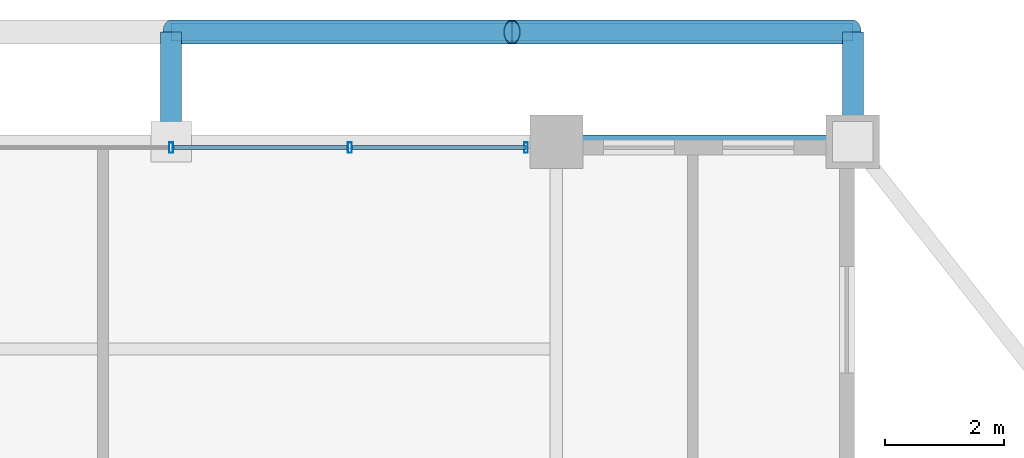
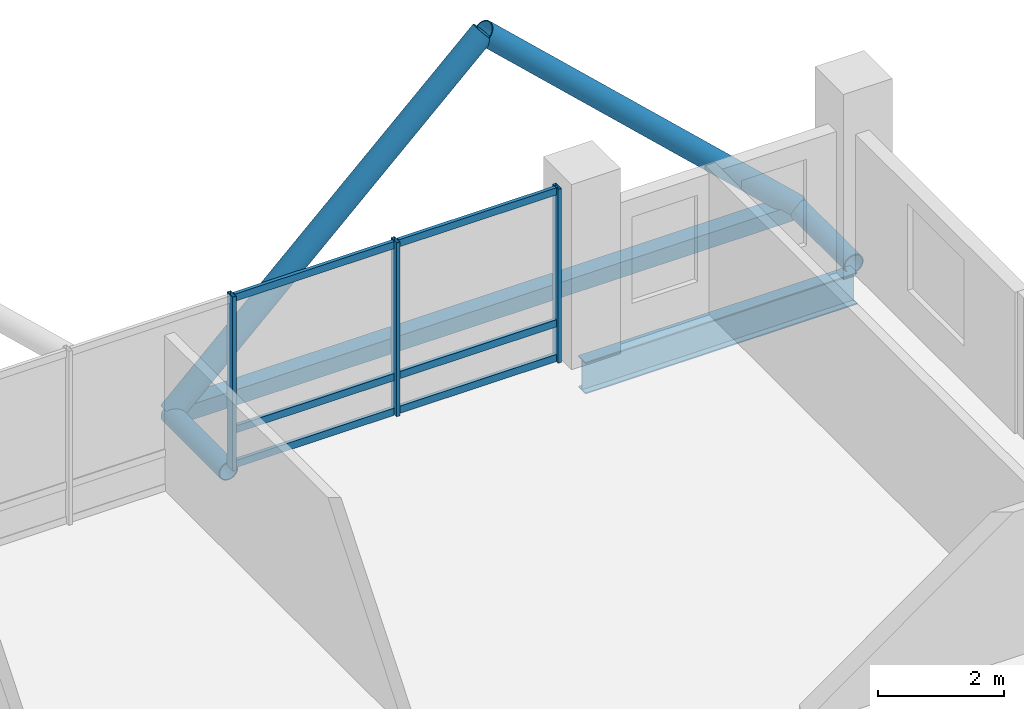
# One storey, part 17 of 24: 14 members, 1 beam, 1 element without a shape of its own.
"""IFC4 building model written with IfcOpenShell, lengths in metres."""

from ifc_helpers import new_model, si_unit, direction, frame, origin, origin_2d, place, context, subcontext, project, spatial, hollow_rectangle, hollow_circle, i_section, extrude, material, layer, layer_set, material_profile, profile_set, type_object, element, aggregate, save


model = new_model("IFC4")

# Units and contexts
model_context = context("Model", 3, precision=1e-05, world=origin(), true_north=direction((0.0, 1.0)))
body_context = subcontext(model_context, "Body", "Model", "MODEL_VIEW")
ifc_project = project(units=[si_unit("LENGTHUNIT", "METRE"), si_unit("AREAUNIT", "SQUARE_METRE"), si_unit("VOLUMEUNIT", "CUBIC_METRE"), si_unit("PLANEANGLEUNIT", "RADIAN"), si_unit("MASSUNIT", "GRAM", prefix="KILO")], contexts=[model_context])

# Site, building, storey
site_placement = place(None, origin())
site = spatial("IfcSite", under=ifc_project, at=site_placement, CompositionType="ELEMENT")
building_placement = place(site_placement, origin())
building = spatial("IfcBuilding", under=site, at=building_placement, Name="Barlavira Tower and Art Museum", CompositionType="ELEMENT")
storey_placement = place(building_placement, frame((0.0, 0.0, 294.300048828125)))
storey = spatial("IfcBuildingStorey", under=building, at=storey_placement, Name="L77", CompositionType="ELEMENT", Elevation=294.300048828125)

# Curtain wall, members
ifc_material_1 = material(Name="Low-iron coastal laminated glass", Category="glass")
ifc_layer = layer(ifc_material_1, 0.2099609375, Name="Low-iron coastal laminated glass")
ifc_layer_set = layer_set([ifc_layer], Name="Low-iron coastal laminated glass")
curtain_wall_type = type_object("IfcCurtainWallType", Name="Pale-Metal Unitised Curtain Wall Zone 4", PredefinedType="NOTDEFINED", material=ifc_layer_set)
curtain_wall_placement = place(storey_placement, origin())
curtain_wall = element("IfcCurtainWall", 1, at=curtain_wall_placement, inside=storey, type_object=curtain_wall_type, Name="L77 Curtain Wall CW4-L77-N-B2", PredefinedType="NOTDEFINED")
ifc_material_2 = material(Name="Pale anodised aluminium", Category="aluminium")
ifc_material_profile_1 = material_profile(ifc_material_2, hollow_rectangle(XDim=0.06494140625, YDim=0.179931640625, WallThickness=0.00390625, at=origin_2d()), Name="ALU-MULL 65x180x4")
ifc_profile_set_1 = profile_set([ifc_material_profile_1], Name="Pale anodised aluminium")
member_type_1 = type_object("IfcMemberType", Name="Curtain Wall Pale-Metal Mullion 65x180", PredefinedType="MULLION", material=ifc_profile_set_1)
member_1_placement = place(storey_placement, frame((5.985107421875, 19.89990234375, 0.0), z_axis=(0.0, 0.0, 1.0), x_axis=(-1.0, 0.0, 0.0)))
member_1 = element("IfcMember", 2, at=member_1_placement, type_object=member_type_1, Name="CW4-L77-N-B2 Mullion 0", PredefinedType="MULLION", context=body_context, shape_type="SweptSolid", body=[
    extrude(hollow_rectangle(XDim=0.06494140625, YDim=0.179931640625, WallThickness=0.00390625, at=origin_2d()), origin(), (0.0, 0.0, 1.0), 3.3798828125),
])
member_2_placement = place(storey_placement, frame((3.014892578125, 19.89990234375, 0.0), z_axis=(0.0, 0.0, 1.0), x_axis=(-1.0, 0.0, 0.0)))
member_2 = element("IfcMember", 3, at=member_2_placement, type_object=member_type_1, Name="CW4-L77-N-B2 Mullion 1", PredefinedType="MULLION", context=body_context, shape_type="SweptSolid", body=[
    extrude(hollow_rectangle(XDim=0.06494140625, YDim=0.179931640625, WallThickness=0.00390625, at=origin_2d()), origin(), (0.0, 0.0, 1.0), 3.3798828125),
])
member_3_placement = place(storey_placement, frame((0.0, 19.89990234375, 0.0), z_axis=(0.0, 0.0, 1.0), x_axis=(-1.0, 0.0, 0.0)))
member_3 = element("IfcMember", 4, at=member_3_placement, type_object=member_type_1, Name="CW4-L77-N-B2 Mullion 2", PredefinedType="MULLION", context=body_context, shape_type="SweptSolid", body=[
    extrude(hollow_rectangle(XDim=0.06494140625, YDim=0.179931640625, WallThickness=0.00390625, at=origin_2d()), origin(), (0.0, 0.0, 1.0), 3.3798828125),
])
ifc_material_profile_2 = material_profile(ifc_material_2, hollow_rectangle(XDim=0.06494140625, YDim=0.139892578125, WallThickness=0.00390625, at=origin_2d()), Name="ALU-TRAN 65x140x4")
ifc_profile_set_2 = profile_set([ifc_material_profile_2], Name="Pale anodised aluminium")
member_type_2 = type_object("IfcMemberType", Name="Curtain Wall Pale-Metal Transom 65x140", PredefinedType="USERDEFINED", material=ifc_profile_set_2)
member_4_placement = place(storey_placement, frame((5.985107421875, 19.89990234375, 0.070068359375), z_axis=(-1.0, 0.0, 0.0), x_axis=(0.0, -1.0, 0.0)))
member_4 = element("IfcMember", 5, at=member_4_placement, type_object=member_type_2, Name="CW4-L77-N-B2 Transom 0.1", ObjectType="TRANSOM", PredefinedType="USERDEFINED", context=body_context, shape_type="SweptSolid", body=[
    extrude(hollow_rectangle(XDim=0.06494140625, YDim=0.139892578125, WallThickness=0.00390625, at=origin_2d()), origin(), (0.0, 0.0, 1.0), 2.925048828125),
])
member_5_placement = place(storey_placement, frame((5.985107421875, 19.89990234375, 0.743896484375), z_axis=(-1.0, 0.0, 0.0), x_axis=(0.0, -1.0, 0.0)))
member_5 = element("IfcMember", 6, at=member_5_placement, type_object=member_type_2, Name="CW4-L77-N-B2 Transom 0.2", ObjectType="TRANSOM", PredefinedType="USERDEFINED", context=body_context, shape_type="SweptSolid", body=[
    extrude(hollow_rectangle(XDim=0.06494140625, YDim=0.139892578125, WallThickness=0.00390625, at=origin_2d()), origin(), (0.0, 0.0, 1.0), 2.925048828125),
])
member_6_placement = place(storey_placement, frame((5.985107421875, 19.89990234375, 3.31005859375), z_axis=(-1.0, 0.0, 0.0), x_axis=(0.0, -1.0, 0.0)))
member_6 = element("IfcMember", 7, at=member_6_placement, type_object=member_type_2, Name="CW4-L77-N-B2 Transom 0.3", ObjectType="TRANSOM", PredefinedType="USERDEFINED", context=body_context, shape_type="SweptSolid", body=[
    extrude(hollow_rectangle(XDim=0.06494140625, YDim=0.139892578125, WallThickness=0.00390625, at=origin_2d()), origin(), (0.0, 0.0, 1.0), 2.925048828125),
])
member_7_placement = place(storey_placement, frame((2.969970703125, 19.89990234375, 0.070068359375), z_axis=(-1.0, 0.0, 0.0), x_axis=(0.0, -1.0, 0.0)))
member_7 = element("IfcMember", 8, at=member_7_placement, type_object=member_type_2, Name="CW4-L77-N-B2 Transom 1.1", ObjectType="TRANSOM", PredefinedType="USERDEFINED", context=body_context, shape_type="SweptSolid", body=[
    extrude(hollow_rectangle(XDim=0.06494140625, YDim=0.139892578125, WallThickness=0.00390625, at=origin_2d()), origin(), (0.0, 0.0, 1.0), 2.925048828125),
])
member_8_placement = place(storey_placement, frame((2.969970703125, 19.89990234375, 0.743896484375), z_axis=(-1.0, 0.0, 0.0), x_axis=(0.0, -1.0, 0.0)))
member_8 = element("IfcMember", 9, at=member_8_placement, type_object=member_type_2, Name="CW4-L77-N-B2 Transom 1.2", ObjectType="TRANSOM", PredefinedType="USERDEFINED", context=body_context, shape_type="SweptSolid", body=[
    extrude(hollow_rectangle(XDim=0.06494140625, YDim=0.139892578125, WallThickness=0.00390625, at=origin_2d()), origin(), (0.0, 0.0, 1.0), 2.925048828125),
])
member_9_placement = place(storey_placement, frame((2.969970703125, 19.89990234375, 3.31005859375), z_axis=(-1.0, 0.0, 0.0), x_axis=(0.0, -1.0, 0.0)))
member_9 = element("IfcMember", 10, at=member_9_placement, type_object=member_type_2, Name="CW4-L77-N-B2 Transom 1.3", ObjectType="TRANSOM", PredefinedType="USERDEFINED", context=body_context, shape_type="SweptSolid", body=[
    extrude(hollow_rectangle(XDim=0.06494140625, YDim=0.139892578125, WallThickness=0.00390625, at=origin_2d()), origin(), (0.0, 0.0, 1.0), 2.925048828125),
])
aggregate(curtain_wall, [member_1, member_2, member_3, member_4, member_5, member_6, member_7, member_8, member_9])

# Members
ifc_material_3 = material(Name="Steel S355", Category="steel")
ifc_material_profile_3 = material_profile(ifc_material_3, hollow_circle(Radius=0.203125, WallThickness=0.01611328125, at=origin_2d()), Name="CHS 406.4x16.0")
ifc_profile_set_3 = profile_set([ifc_material_profile_3], Name="Steel S355")
member_type_3 = type_object("IfcMemberType", Name="Pale-Metal Exoskeleton Diagrid Tube CHS 406x16 Steel S355", PredefinedType="BRACE", material=ifc_profile_set_3)
for number, where, z_axis, x_axis, name in (
    (11, (0.0, 21.85009765625, -0.1201171875), (0.728934650808, 0.0, 0.684583285548), (0.0, 1.0, 0.0), "L77 Exoskeleton Diagrid Tube N"),
    (12, (11.5, 21.85009765625, -0.1201171875), (-0.728934650808, 0.0, 0.684583285548), (0.0, -1.0, 0.0), "L77 Exoskeleton Diagrid Tube N"),
):
    element("IfcMember", number, at=place(storey_placement, frame(where, z_axis=z_axis, x_axis=x_axis)), inside=storey, type_object=member_type_3, Name=name, PredefinedType="BRACE", context=body_context, shape_type="SweptSolid", body=[
        extrude(hollow_circle(Radius=0.203125, WallThickness=0.01611328125, at=origin_2d()), origin(), (0.0, 0.0, 1.0), 7.88818359375),
    ])
ifc_material_profile_4 = material_profile(ifc_material_3, hollow_circle(Radius=0.177734375, WallThickness=0.01611328125, at=origin_2d()), Name="CHS 355.6x16.0")
ifc_profile_set_4 = profile_set([ifc_material_profile_4], Name="Steel S355")
member_type_4 = type_object("IfcMemberType", Name="Pale-Metal Exoskeleton Tie Strut CHS 356x16 Steel S355", PredefinedType="STRUT", material=ifc_profile_set_4)
for number, where, z_axis, x_axis, name in (
    (13, (0.0, 21.85009765625, -0.1201171875), (0.0, -1.0, 0.0), (1.0, 0.0, 0.0), "L77 Exoskeleton Tie Strut N2"),
    (14, (11.5, 21.85009765625, -0.1201171875), (0.0, -1.0, 0.0), (1.0, 0.0, 0.0), "L77 Exoskeleton Tie Strut N3"),
):
    element("IfcMember", number, at=place(storey_placement, frame(where, z_axis=z_axis, x_axis=x_axis)), inside=storey, type_object=member_type_4, Name=name, PredefinedType="STRUT", context=body_context, shape_type="SweptSolid", body=[
        extrude(hollow_circle(Radius=0.177734375, WallThickness=0.01611328125, at=origin_2d()), origin(), (0.0, 0.0, 1.0), 1.85009765625),
    ])
ifc_material_profile_5 = material_profile(ifc_material_3, hollow_rectangle(XDim=0.300048828125, YDim=0.300048828125, WallThickness=0.01611328125, at=origin_2d()), Name="SHS 300x300x16.0")
ifc_profile_set_5 = profile_set([ifc_material_profile_5], Name="Steel S355")
member_type_5 = type_object("IfcMemberType", Name="Pale-Metal Upper Ring Strut SHS 300x300x16 Steel S355", PredefinedType="STRUT", material=ifc_profile_set_5)
member_10_placement = place(storey_placement, frame((0.0, 21.85009765625, -0.1201171875), z_axis=(1.0, 0.0, 0.0), x_axis=(0.0, 1.0, 0.0)))
element("IfcMember", 15, at=member_10_placement, inside=storey, type_object=member_type_5, Name="L77 Exoskeleton Ring Strut N", PredefinedType="STRUT", context=body_context, shape_type="SweptSolid", body=[
    extrude(hollow_rectangle(XDim=0.300048828125, YDim=0.300048828125, WallThickness=0.01611328125, at=origin_2d()), origin(), (0.0, 0.0, 1.0), 11.5),
])

# Beam
ifc_material_profile_6 = material_profile(ifc_material_3, i_section(OverallWidth=0.22998046875, OverallDepth=0.616943359375, WebThickness=0.01318359375, FlangeThickness=0.022216796875, at=origin_2d()), Name="W610x140.0")
ifc_profile_set_6 = profile_set([ifc_material_profile_6], Name="Steel S355")
beam_type = type_object("IfcBeamType", Name="Upper Shaft Spandrel Edge Beam W610x140 Steel S355", PredefinedType="SPANDREL", material=ifc_profile_set_6)
beam_placement = place(storey_placement, frame((6.5, 20.0, -0.528564453125), z_axis=(1.0, 0.0, 0.0), x_axis=(0.0, 1.0, 0.0)))
element("IfcBeam", 16, at=beam_placement, inside=storey, type_object=beam_type, Name="L77 Spandrel 9", PredefinedType="SPANDREL", context=body_context, shape_type="SweptSolid", body=[
    extrude(i_section(OverallWidth=0.22998046875, OverallDepth=0.616943359375, WebThickness=0.01318359375, FlangeThickness=0.022216796875, at=origin_2d()), origin(), (0.0, 0.0, 1.0), 5.0),
])

save(model, "model.ifc")
